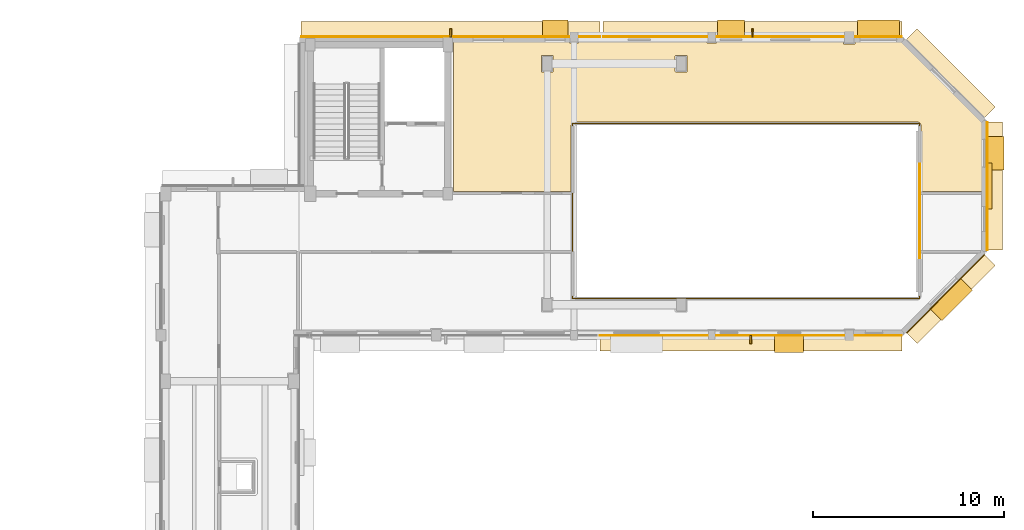
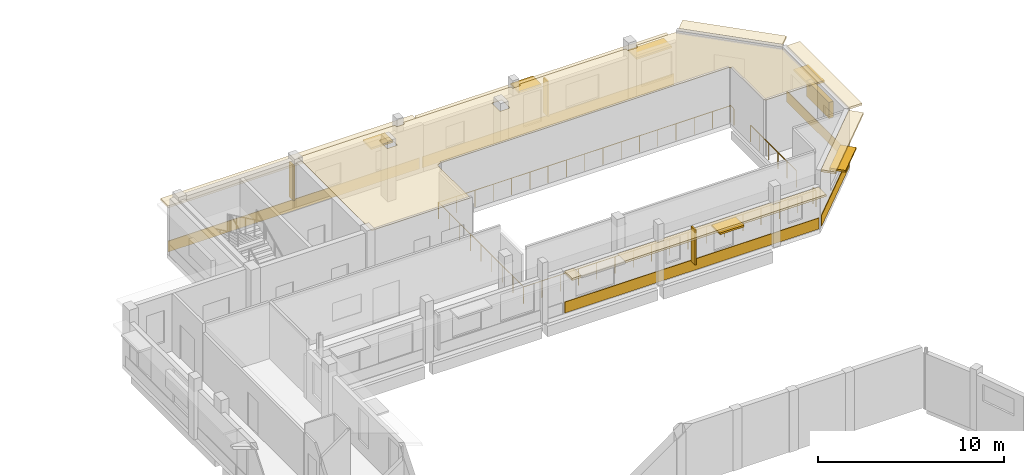
# One storey, part 88 of 89: 12 coverings, 10 shading devices, 2 railings.
"""IFC4 building model written with IfcOpenShell, lengths in metres."""

from ifc_helpers import new_model, si_unit, direction, frame, origin, origin_2d, place, context, subcontext, project, spatial, polyline, rectangle, circle, outline, extrude, material, layer, layer_set, type_object, element, save


model = new_model("IFC4")

# Units and contexts
model_context = context("Model", 3, precision=1e-05, world=origin(), true_north=direction((0.0, 1.0)))
body_context = subcontext(model_context, "Body", "Model", "MODEL_VIEW")
ifc_project = project(units=[si_unit("LENGTHUNIT", "METRE"), si_unit("AREAUNIT", "SQUARE_METRE"), si_unit("VOLUMEUNIT", "CUBIC_METRE"), si_unit("PLANEANGLEUNIT", "RADIAN"), si_unit("MASSUNIT", "GRAM", prefix="KILO")], contexts=[model_context])

# Site, building, storey
site_placement = place(None, origin())
site = spatial("IfcSite", under=ifc_project, at=site_placement, CompositionType="ELEMENT")
building_placement = place(site_placement, origin())
building = spatial("IfcBuilding", under=site, at=building_placement, Name="Kelanivale Promenade Academy", CompositionType="ELEMENT")
storey_placement = place(building_placement, frame((0.0, 0.0, 12.199951171875)))
storey = spatial("IfcBuildingStorey", under=building, at=storey_placement, Name="L03", CompositionType="ELEMENT", Elevation=12.199951171875)

# Coverings
ifc_material_1 = material(Name="Warm ivory Art Deco stucco frieze band 40 mm", Category="masonry")
ifc_layer_1 = layer(ifc_material_1, 0.0400390625)
ifc_layer_set_1 = layer_set([ifc_layer_1], Name="Warm ivory Art Deco stucco frieze band 40 mm")
covering_type_1 = type_object("IfcCoveringType", Name="COV-CLD2 Warm ivory Art Deco stucco frieze ba", PredefinedType="CLADDING", material=ifc_layer_set_1)
covering_1_placement = place(storey_placement, frame((146.4541015625, 96.0, 2.6552734375), z_axis=(0.0, 0.0, 1.0), x_axis=(1.0, 0.0, 0.0)))
element("IfcCovering", 1, at=covering_1_placement, inside=storey, type_object=covering_type_1, Name="Art Deco projecting 820 mm streamline sunshade eyebrow ledge", PredefinedType="CLADDING", context=body_context, shape_type="SweptSolid", body=[
    extrude(rectangle(XDim=15.794921875, YDim=0.820068359375, at=origin_2d()), origin(), (0.0, 0.0, 1.0), 0.139892578125),
])
covering_2_placement = place(storey_placement, frame((146.4541015625, 96.385009765625, 0.06005859375), z_axis=(0.0, 0.0, 1.0), x_axis=(1.0, 0.0, 0.0)))
element("IfcCovering", 2, at=covering_2_placement, inside=storey, type_object=covering_type_1, Name="Art Deco ivory stucco sill frieze band", PredefinedType="CLADDING", context=body_context, shape_type="SweptSolid", body=[
    extrude(rectangle(XDim=15.794921875, YDim=0.0400390625, at=origin_2d()), origin(), (0.0, 0.0, 1.0), 0.719970703125),
])
covering_3_placement = place(storey_placement, frame((156.89892578125, 98.301025390625, 3.6201171875), z_axis=(0.0, 0.0, 1.0), x_axis=(0.707106781187, 0.707106781187, 0.0)))
element("IfcCovering", 3, at=covering_3_placement, inside=storey, type_object=covering_type_1, Name="Art Deco projecting 820 mm streamline sunshade eyebrow ledge", PredefinedType="CLADDING", context=body_context, shape_type="SweptSolid", body=[
    extrude(rectangle(XDim=5.77490234375, YDim=0.820068359375, at=origin_2d()), origin(), (0.0, 0.0, 1.0), 0.139892578125),
])
covering_4_placement = place(storey_placement, frame((156.626953125, 98.572998046875, 0.06005859375), z_axis=(0.0, 0.0, 1.0), x_axis=(0.707106781187, 0.707106781187, 0.0)))
element("IfcCovering", 4, at=covering_4_placement, inside=storey, type_object=covering_type_1, Name="Art Deco ivory stucco sill frieze band", PredefinedType="CLADDING", context=body_context, shape_type="SweptSolid", body=[
    extrude(rectangle(XDim=5.77490234375, YDim=0.0400390625, at=origin_2d()), origin(), (0.0, 0.0, 1.0), 0.719970703125),
])
covering_5_placement = place(storey_placement, frame((159.199951171875, 104.199951171875, 3.6201171875), z_axis=(0.0, 0.0, 1.0), x_axis=(0.0, 1.0, 0.0)))
element("IfcCovering", 5, at=covering_5_placement, inside=storey, type_object=covering_type_1, Name="Art Deco projecting 820 mm streamline sunshade eyebrow ledge", PredefinedType="CLADDING", context=body_context, shape_type="SweptSolid", body=[
    extrude(rectangle(XDim=6.701904296875, YDim=0.820068359375, at=origin_2d()), origin(), (0.0, 0.0, 1.0), 0.139892578125),
])
covering_6_placement = place(storey_placement, frame((158.81494140625, 104.199951171875, 0.06005859375), z_axis=(0.0, 0.0, 1.0), x_axis=(0.0, 1.0, 0.0)))
element("IfcCovering", 6, at=covering_6_placement, inside=storey, type_object=covering_type_1, Name="Art Deco ivory stucco sill frieze band", PredefinedType="CLADDING", context=body_context, shape_type="SweptSolid", body=[
    extrude(rectangle(XDim=6.701904296875, YDim=0.0400390625, at=origin_2d()), origin(), (0.0, 0.0, 1.0), 0.719970703125),
])
covering_7_placement = place(storey_placement, frame((156.89892578125, 110.09912109375, 3.6201171875), z_axis=(0.0, 0.0, 1.0), x_axis=(-0.707106781187, 0.707106781187, 0.0)))
element("IfcCovering", 7, at=covering_7_placement, inside=storey, type_object=covering_type_1, Name="Art Deco projecting 820 mm streamline sunshade eyebrow ledge", PredefinedType="CLADDING", context=body_context, shape_type="SweptSolid", body=[
    extrude(rectangle(XDim=5.77490234375, YDim=0.820068359375, at=origin_2d()), origin(), (0.0, 0.0, 1.0), 0.139892578125),
])
covering_8_placement = place(storey_placement, frame((146.535888671875, 112.39990234375, 2.85009765625), z_axis=(0.0, 0.0, 1.0), x_axis=(-1.0, 0.0, 0.0)))
element("IfcCovering", 8, at=covering_8_placement, inside=storey, type_object=covering_type_1, Name="Art Deco projecting 820 mm streamline sunshade eyebrow ledge", PredefinedType="CLADDING", context=body_context, shape_type="SweptSolid", body=[
    extrude(rectangle(XDim=15.6298828125, YDim=0.820068359375, at=origin_2d()), origin(), (0.0, 0.0, 1.0), 0.139892578125),
])
covering_9_placement = place(storey_placement, frame((146.535888671875, 112.014892578125, 0.06005859375), z_axis=(0.0, 0.0, 1.0), x_axis=(-1.0, 0.0, 0.0)))
element("IfcCovering", 9, at=covering_9_placement, inside=storey, type_object=covering_type_1, Name="Art Deco ivory stucco sill frieze band", PredefinedType="CLADDING", context=body_context, shape_type="SweptSolid", body=[
    extrude(rectangle(XDim=15.6298828125, YDim=0.0400390625, at=origin_2d()), origin(), (0.0, 0.0, 1.0), 0.719970703125),
])
covering_10_placement = place(storey_placement, frame((130.7451171875, 112.39990234375, 2.955078125), z_axis=(0.0, 0.0, 1.0), x_axis=(-1.0, 0.0, 0.0)))
element("IfcCovering", 10, at=covering_10_placement, inside=storey, type_object=covering_type_1, Name="Art Deco projecting 820 mm streamline sunshade eyebrow ledge", PredefinedType="CLADDING", context=body_context, shape_type="SweptSolid", body=[
    extrude(rectangle(XDim=15.631103515625, YDim=0.820068359375, at=origin_2d()), origin(), (0.0, 0.0, 1.0), 0.139892578125),
])
covering_11_placement = place(storey_placement, frame((130.7451171875, 112.014892578125, 0.06005859375), z_axis=(0.0, 0.0, 1.0), x_axis=(-1.0, 0.0, 0.0)))
element("IfcCovering", 11, at=covering_11_placement, inside=storey, type_object=covering_type_1, Name="Art Deco ivory stucco sill frieze band", PredefinedType="CLADDING", context=body_context, shape_type="SweptSolid", body=[
    extrude(rectangle(XDim=15.631103515625, YDim=0.0400390625, at=origin_2d()), origin(), (0.0, 0.0, 1.0), 0.719970703125),
])
ifc_material_2 = material(Name="Acoustic mineral-fibre ceiling tile 25 mm", Category="gypsum")
ifc_layer_2 = layer(ifc_material_2, 0.02490234375)
ifc_layer_set_2 = layer_set([ifc_layer_2], Name="Acoustic mineral-fibre ceiling tile 25 mm")
covering_type_2 = type_object("IfcCoveringType", Name="COV-CLG1 Acoustic mineral-fibre ceiling tile ", PredefinedType="CEILING", material=ifc_layer_set_2)
covering_12_placement = place(storey_placement, frame((0.0, 0.0, 3.550048828125)))
element("IfcCovering", 12, at=covering_12_placement, inside=storey, type_object=covering_type_2, Name="Library Mezzanine Study Room acoustic suspended ceiling", PredefinedType="CEILING", context=body_context, shape_type="SweptSolid", body=[
    extrude(outline(polyline([(137.050048828125, 103.909912109375), (137.050048828125, 107.35009765625), (137.050048828125, 107.35693359375), (137.051025390625, 107.368896484375), (137.051025390625, 107.368896484375), (137.052001953125, 107.3798828125), (137.052978515625, 107.385986328125), (137.053955078125, 107.39208984375), (137.056884765625, 107.404052734375), (137.06005859375, 107.412109375), (137.06396484375, 107.423095703125), (137.06591796875, 107.428955078125), (137.071044921875, 107.43994140625), (137.074951171875, 107.447998046875), (137.0810546875, 107.4580078125), (137.0869140625, 107.466064453125), (137.093994140625, 107.47509765625), (137.096923828125, 107.47900390625), (137.10498046875, 107.488037109375), (137.112060546875, 107.4951171875), (137.12109375, 107.5029296875), (137.125, 107.506103515625), (137.134033203125, 107.512939453125), (137.14208984375, 107.51904296875), (137.152099609375, 107.52490234375), (137.159912109375, 107.529052734375), (137.1708984375, 107.533935546875), (137.177001953125, 107.535888671875), (137.18798828125, 107.5400390625), (137.196044921875, 107.54296875), (137.2080078125, 107.5458984375), (137.214111328125, 107.547119140625), (137.219970703125, 107.548095703125), (137.23095703125, 107.549072265625), (137.23095703125, 107.549072265625), (137.242919921875, 107.550048828125), (137.25, 107.550048828125), (155.14990234375, 107.550048828125), (155.156982421875, 107.550048828125), (155.1689453125, 107.549072265625), (155.1689453125, 107.549072265625), (155.179931640625, 107.548095703125), (155.18603515625, 107.547119140625), (155.19189453125, 107.5458984375), (155.2041015625, 107.54296875), (155.2119140625, 107.5400390625), (155.222900390625, 107.535888671875), (155.22900390625, 107.533935546875), (155.239990234375, 107.529052734375), (155.248046875, 107.52490234375), (155.258056640625, 107.51904296875), (155.26611328125, 107.512939453125), (155.27490234375, 107.506103515625), (155.279052734375, 107.5029296875), (155.2880859375, 107.4951171875), (155.294921875, 107.488037109375), (155.302978515625, 107.47900390625), (155.305908203125, 107.47509765625), (155.31298828125, 107.466064453125), (155.319091796875, 107.4580078125), (155.324951171875, 107.447998046875), (155.3291015625, 107.43994140625), (155.333984375, 107.428955078125), (155.3359375, 107.423095703125), (155.340087890625, 107.412109375), (155.343017578125, 107.404052734375), (155.345947265625, 107.39208984375), (155.346923828125, 107.385986328125), (155.347900390625, 107.3798828125), (155.34912109375, 107.368896484375), (155.34912109375, 107.368896484375), (155.35009765625, 107.35693359375), (155.35009765625, 107.35009765625), (155.35009765625, 103.909912109375), (158.64990234375, 103.909912109375), (158.64990234375, 107.571044921875), (154.37109375, 111.85009765625), (151.909912109375, 111.85009765625), (151.909912109375, 111.679931640625), (151.909912109375, 111.676025390625), (151.908935546875, 111.672119140625), (151.907958984375, 111.66796875), (151.906982421875, 111.6650390625), (151.905029296875, 111.660888671875), (151.903076171875, 111.657958984375), (151.90087890625, 111.655029296875), (151.89794921875, 111.652099609375), (151.89501953125, 111.64892578125), (151.89208984375, 111.64697265625), (151.888916015625, 111.64501953125), (151.885009765625, 111.64306640625), (151.882080078125, 111.64208984375), (151.8779296875, 111.64111328125), (151.8740234375, 111.639892578125), (151.8701171875, 111.639892578125), (151.330078125, 111.639892578125), (151.325927734375, 111.639892578125), (151.322021484375, 111.64111328125), (151.318115234375, 111.64208984375), (151.31494140625, 111.64306640625), (151.31103515625, 111.64501953125), (151.30810546875, 111.64697265625), (151.304931640625, 111.64892578125), (151.302001953125, 111.652099609375), (151.299072265625, 111.655029296875), (151.297119140625, 111.657958984375), (151.294921875, 111.660888671875), (151.29296875, 111.6650390625), (151.2919921875, 111.66796875), (151.291015625, 111.672119140625), (151.2900390625, 111.676025390625), (151.2900390625, 111.679931640625), (151.2900390625, 111.85009765625), (144.659912109375, 111.85009765625), (144.659912109375, 111.72998046875), (144.659912109375, 111.72607421875), (144.658935546875, 111.721923828125), (144.657958984375, 111.718017578125), (144.656982421875, 111.715087890625), (144.655029296875, 111.7109375), (144.653076171875, 111.7080078125), (144.65087890625, 111.705078125), (144.64794921875, 111.701904296875), (144.64501953125, 111.698974609375), (144.64208984375, 111.697021484375), (144.638916015625, 111.695068359375), (144.635009765625, 111.693115234375), (144.632080078125, 111.69189453125), (144.6279296875, 111.69091796875), (144.6240234375, 111.68994140625), (144.6201171875, 111.68994140625), (144.179931640625, 111.68994140625), (144.176025390625, 111.68994140625), (144.172119140625, 111.69091796875), (144.16796875, 111.69189453125), (144.1650390625, 111.693115234375), (144.160888671875, 111.695068359375), (144.157958984375, 111.697021484375), (144.155029296875, 111.698974609375), (144.152099609375, 111.701904296875), (144.14892578125, 111.705078125), (144.14697265625, 111.7080078125), (144.14501953125, 111.7109375), (144.14306640625, 111.715087890625), (144.14208984375, 111.718017578125), (144.14111328125, 111.721923828125), (144.139892578125, 111.72607421875), (144.139892578125, 111.72998046875), (144.139892578125, 111.85009765625), (137.4599609375, 111.85009765625), (137.4599609375, 111.72998046875), (137.4599609375, 111.72607421875), (137.458984375, 111.721923828125), (137.4580078125, 111.718017578125), (137.45703125, 111.715087890625), (137.455078125, 111.7109375), (137.452880859375, 111.7080078125), (137.450927734375, 111.705078125), (137.447998046875, 111.701904296875), (137.445068359375, 111.698974609375), (137.44189453125, 111.697021484375), (137.43896484375, 111.695068359375), (137.43505859375, 111.693115234375), (137.431884765625, 111.69189453125), (137.427978515625, 111.69091796875), (137.424072265625, 111.68994140625), (137.419921875, 111.68994140625), (136.97998046875, 111.68994140625), (136.97607421875, 111.68994140625), (136.971923828125, 111.69091796875), (136.968017578125, 111.69189453125), (136.965087890625, 111.693115234375), (136.9609375, 111.695068359375), (136.9580078125, 111.697021484375), (136.955078125, 111.698974609375), (136.951904296875, 111.701904296875), (136.948974609375, 111.705078125), (136.947021484375, 111.7080078125), (136.945068359375, 111.7109375), (136.943115234375, 111.715087890625), (136.94189453125, 111.718017578125), (136.94091796875, 111.721923828125), (136.93994140625, 111.72607421875), (136.93994140625, 111.72998046875), (136.93994140625, 111.85009765625), (130.909912109375, 111.85009765625), (130.909912109375, 103.909912109375), (137.050048828125, 103.909912109375)]), holes=[polyline([(143.110107421875, 110.205078125), (143.110107421875, 110.200927734375), (143.10888671875, 110.197021484375), (143.10791015625, 110.193115234375), (143.10693359375, 110.18994140625), (143.10498046875, 110.18603515625), (143.10302734375, 110.18310546875), (143.10107421875, 110.179931640625), (143.097900390625, 110.177001953125), (143.094970703125, 110.174072265625), (143.092041015625, 110.172119140625), (143.089111328125, 110.169921875), (143.0849609375, 110.16796875), (143.08203125, 110.1669921875), (143.077880859375, 110.166015625), (143.073974609375, 110.1650390625), (143.070068359375, 110.1650390625), (142.530029296875, 110.1650390625), (142.52587890625, 110.1650390625), (142.52197265625, 110.166015625), (142.51806640625, 110.1669921875), (142.514892578125, 110.16796875), (142.510986328125, 110.169921875), (142.508056640625, 110.172119140625), (142.5048828125, 110.174072265625), (142.501953125, 110.177001953125), (142.4990234375, 110.179931640625), (142.4970703125, 110.18310546875), (142.4951171875, 110.18603515625), (142.492919921875, 110.18994140625), (142.491943359375, 110.193115234375), (142.490966796875, 110.197021484375), (142.489990234375, 110.200927734375), (142.489990234375, 110.205078125), (142.489990234375, 110.9951171875), (142.489990234375, 110.9990234375), (142.490966796875, 111.0029296875), (142.491943359375, 111.007080078125), (142.492919921875, 111.010009765625), (142.4951171875, 111.013916015625), (142.4970703125, 111.01708984375), (142.4990234375, 111.02001953125), (142.501953125, 111.02294921875), (142.5048828125, 111.02587890625), (142.508056640625, 111.028076171875), (142.510986328125, 111.030029296875), (142.514892578125, 111.031982421875), (142.51806640625, 111.032958984375), (142.52197265625, 111.033935546875), (142.52587890625, 111.034912109375), (142.530029296875, 111.034912109375), (143.070068359375, 111.034912109375), (143.073974609375, 111.034912109375), (143.077880859375, 111.033935546875), (143.08203125, 111.032958984375), (143.0849609375, 111.031982421875), (143.089111328125, 111.030029296875), (143.092041015625, 111.028076171875), (143.094970703125, 111.02587890625), (143.097900390625, 111.02294921875), (143.10107421875, 111.02001953125), (143.10302734375, 111.01708984375), (143.10498046875, 111.013916015625), (143.10693359375, 111.010009765625), (143.10791015625, 111.007080078125), (143.10888671875, 111.0029296875), (143.110107421875, 110.9990234375), (143.110107421875, 110.9951171875), (143.110107421875, 110.205078125)]), polyline([(136.110107421875, 110.205078125), (136.110107421875, 110.200927734375), (136.10888671875, 110.197021484375), (136.10791015625, 110.193115234375), (136.10693359375, 110.18994140625), (136.10498046875, 110.18603515625), (136.10302734375, 110.18310546875), (136.10107421875, 110.179931640625), (136.097900390625, 110.177001953125), (136.094970703125, 110.174072265625), (136.092041015625, 110.172119140625), (136.089111328125, 110.169921875), (136.0849609375, 110.16796875), (136.08203125, 110.1669921875), (136.077880859375, 110.166015625), (136.073974609375, 110.1650390625), (136.070068359375, 110.1650390625), (135.530029296875, 110.1650390625), (135.52587890625, 110.1650390625), (135.52197265625, 110.166015625), (135.51806640625, 110.1669921875), (135.514892578125, 110.16796875), (135.510986328125, 110.169921875), (135.508056640625, 110.172119140625), (135.5048828125, 110.174072265625), (135.501953125, 110.177001953125), (135.4990234375, 110.179931640625), (135.4970703125, 110.18310546875), (135.4951171875, 110.18603515625), (135.492919921875, 110.18994140625), (135.491943359375, 110.193115234375), (135.490966796875, 110.197021484375), (135.489990234375, 110.200927734375), (135.489990234375, 110.205078125), (135.489990234375, 110.9951171875), (135.489990234375, 110.9990234375), (135.490966796875, 111.0029296875), (135.491943359375, 111.007080078125), (135.492919921875, 111.010009765625), (135.4951171875, 111.013916015625), (135.4970703125, 111.01708984375), (135.4990234375, 111.02001953125), (135.501953125, 111.02294921875), (135.5048828125, 111.02587890625), (135.508056640625, 111.028076171875), (135.510986328125, 111.030029296875), (135.514892578125, 111.031982421875), (135.51806640625, 111.032958984375), (135.52197265625, 111.033935546875), (135.52587890625, 111.034912109375), (135.530029296875, 111.034912109375), (136.070068359375, 111.034912109375), (136.073974609375, 111.034912109375), (136.077880859375, 111.033935546875), (136.08203125, 111.032958984375), (136.0849609375, 111.031982421875), (136.089111328125, 111.030029296875), (136.092041015625, 111.028076171875), (136.094970703125, 111.02587890625), (136.097900390625, 111.02294921875), (136.10107421875, 111.02001953125), (136.10302734375, 111.01708984375), (136.10498046875, 111.013916015625), (136.10693359375, 111.010009765625), (136.10791015625, 111.007080078125), (136.10888671875, 111.0029296875), (136.110107421875, 110.9990234375), (136.110107421875, 110.9951171875), (136.110107421875, 110.205078125)])]), origin(), (0.0, 0.0, 1.0), 0.02490234375),
])

# Railings
ifc_material_3 = material(Name="Brushed stainless steel grade 316", Category="steel")
railing_type = type_object("IfcRailingType", Name="GR-01 Stair Guard 1100mm", PredefinedType="BALUSTRADE", material=ifc_material_3)
railing_1_placement = place(storey_placement, frame((155.280029296875, 98.64990234375, 0.0)))
element("IfcRailing", 13, at=railing_1_placement, inside=storey, type_object=railing_type, Name="Library Reading Void mezzanine balustrade 1", PredefinedType="BALUSTRADE", context=body_context, shape_type="SweptSolid", body=[
    extrude(circle(Radius=0.02392578125, at=origin_2d()), frame((0.0, 0.0, 1.09619140625), z_axis=(0.0, -1.0, 0.0), x_axis=(1.0, 0.0, 0.0)), (0.0, 0.0, 1.0), 0.329833984375),
    extrude(circle(Radius=0.02392578125, at=origin_2d()), frame((0.0, -0.329833984375, 1.09619140625), z_axis=(-1.0, 0.0, 0.0), x_axis=(0.0, -1.0, 0.0)), (0.0, 0.0, 1.0), 18.159912109375),
    extrude(circle(Radius=0.02392578125, at=origin_2d()), frame((-18.159912109375, -0.329833984375, 1.09619140625), z_axis=(0.0, 1.0, 0.0), x_axis=(-1.0, 0.0, 0.0)), (0.0, 0.0, 1.0), 9.159912109375),
    extrude(circle(Radius=0.02392578125, at=origin_2d()), frame((-18.159912109375, 8.830078125, 1.09619140625), z_axis=(1.0, 0.0, 0.0), x_axis=(0.0, 1.0, 0.0)), (0.0, 0.0, 1.0), 18.159912109375),
    extrude(circle(Radius=0.02392578125, at=origin_2d()), frame((0.0, 8.830078125, 1.09619140625), z_axis=(0.0, -1.0, 0.0), x_axis=(1.0, 0.0, 0.0)), (0.0, 0.0, 1.0), 0.330078125),
    extrude(circle(Radius=0.02099609375, at=origin_2d()), origin(), (0.0, 0.0, 1.0), 1.072021484375),
    extrude(circle(Radius=0.02099609375, at=origin_2d()), frame((0.0, -0.329833984375, 0.0)), (0.0, 0.0, 1.0), 1.072021484375),
    extrude(circle(Radius=0.02099609375, at=origin_2d()), frame((-1.135009765625, -0.329833984375, 0.0)), (0.0, 0.0, 1.0), 1.072021484375),
    extrude(circle(Radius=0.02099609375, at=origin_2d()), frame((-2.27001953125, -0.329833984375, 0.0)), (0.0, 0.0, 1.0), 1.072021484375),
    extrude(circle(Radius=0.02099609375, at=origin_2d()), frame((-3.405029296875, -0.329833984375, 0.0)), (0.0, 0.0, 1.0), 1.072021484375),
    extrude(circle(Radius=0.02099609375, at=origin_2d()), frame((-4.5400390625, -0.329833984375, 0.0)), (0.0, 0.0, 1.0), 1.072021484375),
    extrude(circle(Radius=0.02099609375, at=origin_2d()), frame((-5.675048828125, -0.329833984375, 0.0)), (0.0, 0.0, 1.0), 1.072021484375),
    extrude(circle(Radius=0.02099609375, at=origin_2d()), frame((-6.81005859375, -0.329833984375, 0.0)), (0.0, 0.0, 1.0), 1.072021484375),
    extrude(circle(Radius=0.02099609375, at=origin_2d()), frame((-7.945068359375, -0.329833984375, 0.0)), (0.0, 0.0, 1.0), 1.072021484375),
    extrude(circle(Radius=0.02099609375, at=origin_2d()), frame((-9.080078125, -0.329833984375, 0.0)), (0.0, 0.0, 1.0), 1.072021484375),
    extrude(circle(Radius=0.02099609375, at=origin_2d()), frame((-10.21484375, -0.329833984375, 0.0)), (0.0, 0.0, 1.0), 1.072021484375),
    extrude(circle(Radius=0.02099609375, at=origin_2d()), frame((-11.349853515625, -0.329833984375, 0.0)), (0.0, 0.0, 1.0), 1.072021484375),
    extrude(circle(Radius=0.02099609375, at=origin_2d()), frame((-12.48486328125, -0.329833984375, 0.0)), (0.0, 0.0, 1.0), 1.072021484375),
    extrude(circle(Radius=0.02099609375, at=origin_2d()), frame((-13.619873046875, -0.329833984375, 0.0)), (0.0, 0.0, 1.0), 1.072021484375),
    extrude(circle(Radius=0.02099609375, at=origin_2d()), frame((-14.7548828125, -0.329833984375, 0.0)), (0.0, 0.0, 1.0), 1.072021484375),
    extrude(circle(Radius=0.02099609375, at=origin_2d()), frame((-15.889892578125, -0.329833984375, 0.0)), (0.0, 0.0, 1.0), 1.072021484375),
    extrude(circle(Radius=0.02099609375, at=origin_2d()), frame((-17.02490234375, -0.329833984375, 0.0)), (0.0, 0.0, 1.0), 1.072021484375),
    extrude(circle(Radius=0.02099609375, at=origin_2d()), frame((-18.159912109375, -0.329833984375, 0.0)), (0.0, 0.0, 1.0), 1.072021484375),
    extrude(circle(Radius=0.02099609375, at=origin_2d()), frame((-18.159912109375, 0.815185546875, 0.0)), (0.0, 0.0, 1.0), 1.072021484375),
    extrude(circle(Radius=0.02099609375, at=origin_2d()), frame((-18.159912109375, 1.960205078125, 0.0)), (0.0, 0.0, 1.0), 1.072021484375),
    extrude(circle(Radius=0.02099609375, at=origin_2d()), frame((-18.159912109375, 3.105224609375, 0.0)), (0.0, 0.0, 1.0), 1.072021484375),
    extrude(circle(Radius=0.02099609375, at=origin_2d()), frame((-18.159912109375, 4.25, 0.0)), (0.0, 0.0, 1.0), 1.072021484375),
    extrude(circle(Radius=0.02099609375, at=origin_2d()), frame((-18.159912109375, 5.39501953125, 0.0)), (0.0, 0.0, 1.0), 1.072021484375),
    extrude(circle(Radius=0.02099609375, at=origin_2d()), frame((-18.159912109375, 6.5400390625, 0.0)), (0.0, 0.0, 1.0), 1.072021484375),
    extrude(circle(Radius=0.02099609375, at=origin_2d()), frame((-18.159912109375, 7.68505859375, 0.0)), (0.0, 0.0, 1.0), 1.072021484375),
    extrude(circle(Radius=0.02099609375, at=origin_2d()), frame((-18.159912109375, 8.830078125, 0.0)), (0.0, 0.0, 1.0), 1.072021484375),
    extrude(circle(Radius=0.02099609375, at=origin_2d()), frame((-17.02490234375, 8.830078125, 0.0)), (0.0, 0.0, 1.0), 1.072021484375),
    extrude(circle(Radius=0.02099609375, at=origin_2d()), frame((-15.889892578125, 8.830078125, 0.0)), (0.0, 0.0, 1.0), 1.072021484375),
    extrude(circle(Radius=0.02099609375, at=origin_2d()), frame((-14.7548828125, 8.830078125, 0.0)), (0.0, 0.0, 1.0), 1.072021484375),
    extrude(circle(Radius=0.02099609375, at=origin_2d()), frame((-13.619873046875, 8.830078125, 0.0)), (0.0, 0.0, 1.0), 1.072021484375),
    extrude(circle(Radius=0.02099609375, at=origin_2d()), frame((-12.48486328125, 8.830078125, 0.0)), (0.0, 0.0, 1.0), 1.072021484375),
    extrude(circle(Radius=0.02099609375, at=origin_2d()), frame((-11.349853515625, 8.830078125, 0.0)), (0.0, 0.0, 1.0), 1.072021484375),
    extrude(circle(Radius=0.02099609375, at=origin_2d()), frame((-10.21484375, 8.830078125, 0.0)), (0.0, 0.0, 1.0), 1.072021484375),
    extrude(circle(Radius=0.02099609375, at=origin_2d()), frame((-9.080078125, 8.830078125, 0.0)), (0.0, 0.0, 1.0), 1.072021484375),
    extrude(circle(Radius=0.02099609375, at=origin_2d()), frame((-7.945068359375, 8.830078125, 0.0)), (0.0, 0.0, 1.0), 1.072021484375),
    extrude(circle(Radius=0.02099609375, at=origin_2d()), frame((-6.81005859375, 8.830078125, 0.0)), (0.0, 0.0, 1.0), 1.072021484375),
    extrude(circle(Radius=0.02099609375, at=origin_2d()), frame((-5.675048828125, 8.830078125, 0.0)), (0.0, 0.0, 1.0), 1.072021484375),
    extrude(circle(Radius=0.02099609375, at=origin_2d()), frame((-4.5400390625, 8.830078125, 0.0)), (0.0, 0.0, 1.0), 1.072021484375),
    extrude(circle(Radius=0.02099609375, at=origin_2d()), frame((-3.405029296875, 8.830078125, 0.0)), (0.0, 0.0, 1.0), 1.072021484375),
    extrude(circle(Radius=0.02099609375, at=origin_2d()), frame((-2.27001953125, 8.830078125, 0.0)), (0.0, 0.0, 1.0), 1.072021484375),
    extrude(circle(Radius=0.02099609375, at=origin_2d()), frame((-1.135009765625, 8.830078125, 0.0)), (0.0, 0.0, 1.0), 1.072021484375),
    extrude(circle(Radius=0.02099609375, at=origin_2d()), frame((0.0, 8.830078125, 0.0)), (0.0, 0.0, 1.0), 1.072021484375),
    extrude(circle(Radius=0.02099609375, at=origin_2d()), frame((0.0, 8.5, 0.0)), (0.0, 0.0, 1.0), 1.072021484375),
])
railing_2_placement = place(storey_placement, frame((155.280029296875, 100.449951171875, 0.0)))
element("IfcRailing", 14, at=railing_2_placement, inside=storey, type_object=railing_type, Name="Library Reading Void mezzanine balustrade 2", PredefinedType="BALUSTRADE", context=body_context, shape_type="SweptSolid", body=[
    extrude(circle(Radius=0.02392578125, at=origin_2d()), frame((0.0, 0.0, 1.09619140625), z_axis=(0.0, 1.0, 0.0), x_axis=(-1.0, 0.0, 0.0)), (0.0, 0.0, 1.0), 4.900146484375),
    extrude(circle(Radius=0.02099609375, at=origin_2d()), origin(), (0.0, 0.0, 1.0), 1.072021484375),
    extrude(circle(Radius=0.02099609375, at=origin_2d()), frame((0.0, 0.97998046875, 0.0)), (0.0, 0.0, 1.0), 1.072021484375),
    extrude(circle(Radius=0.02099609375, at=origin_2d()), frame((0.0, 1.9599609375, 0.0)), (0.0, 0.0, 1.0), 1.072021484375),
    extrude(circle(Radius=0.02099609375, at=origin_2d()), frame((0.0, 2.940185546875, 0.0)), (0.0, 0.0, 1.0), 1.072021484375),
    extrude(circle(Radius=0.02099609375, at=origin_2d()), frame((0.0, 3.920166015625, 0.0)), (0.0, 0.0, 1.0), 1.072021484375),
    extrude(circle(Radius=0.02099609375, at=origin_2d()), frame((0.0, 4.900146484375, 0.0)), (0.0, 0.0, 1.0), 1.072021484375),
])

# Shading devices
ifc_material_4 = material(Name="Precast concrete C40/50", Category="concrete")
ifc_layer_3 = layer(ifc_material_4, 0.1201171875)
ifc_layer_set_3 = layer_set([ifc_layer_3], Name="Precast concrete C40/50")
shading_device_type_1 = type_object("IfcShadingDeviceType", Name="SHD-01 Art Deco Sunshade Eyebrow 900mm", PredefinedType="USERDEFINED", material=ifc_layer_set_3)
shading_device_1_placement = place(storey_placement, frame((148.447998046875, 95.9599609375, 2.510009765625), z_axis=(0.0, 0.0, 1.0), x_axis=(1.0, 0.0, 0.0)))
element("IfcShadingDevice", 15, at=shading_device_1_placement, inside=storey, type_object=shading_device_type_1, Name="Art Deco 900 mm precast chajja window sunshade", ObjectType="SUNSHADE", PredefinedType="USERDEFINED", context=body_context, shape_type="SweptSolid", body=[
    extrude(rectangle(XDim=1.5, YDim=0.89990234375, at=origin_2d()), origin(), (0.0, 0.0, 1.0), 0.1201171875),
])
shading_device_2_placement = place(storey_placement, frame((156.927978515625, 98.27294921875, 2.56005859375), z_axis=(0.0, 0.0, 1.0), x_axis=(0.707106781187, 0.707106781187, 0.0)))
element("IfcShadingDevice", 16, at=shading_device_2_placement, inside=storey, type_object=shading_device_type_1, Name="Art Deco 900 mm precast chajja window sunshade", ObjectType="SUNSHADE", PredefinedType="USERDEFINED", context=body_context, shape_type="SweptSolid", body=[
    extrude(rectangle(XDim=2.25, YDim=0.89990234375, at=origin_2d()), origin(), (0.0, 0.0, 1.0), 0.1201171875),
])
shading_device_3_placement = place(storey_placement, frame((159.239990234375, 105.9150390625, 2.56005859375), z_axis=(0.0, 0.0, 1.0), x_axis=(0.0, 1.0, 0.0)))
element("IfcShadingDevice", 17, at=shading_device_3_placement, inside=storey, type_object=shading_device_type_1, Name="Art Deco 900 mm precast chajja window sunshade", ObjectType="SUNSHADE", PredefinedType="USERDEFINED", context=body_context, shape_type="SweptSolid", body=[
    extrude(rectangle(XDim=1.75, YDim=0.89990234375, at=origin_2d()), origin(), (0.0, 0.0, 1.0), 0.1201171875),
])
shading_device_4_placement = place(storey_placement, frame((153.12109375, 112.43994140625, 2.510009765625), z_axis=(0.0, 0.0, 1.0), x_axis=(-1.0, 0.0, 0.0)))
element("IfcShadingDevice", 18, at=shading_device_4_placement, inside=storey, type_object=shading_device_type_1, Name="Art Deco 900 mm precast chajja window sunshade", ObjectType="SUNSHADE", PredefinedType="USERDEFINED", context=body_context, shape_type="SweptSolid", body=[
    extrude(rectangle(XDim=2.199951171875, YDim=0.89990234375, at=origin_2d()), origin(), (0.0, 0.0, 1.0), 0.1201171875),
])
shading_device_5_placement = place(storey_placement, frame((145.412109375, 112.43994140625, 2.860107421875), z_axis=(0.0, 0.0, 1.0), x_axis=(-1.0, 0.0, 0.0)))
element("IfcShadingDevice", 19, at=shading_device_5_placement, inside=storey, type_object=shading_device_type_1, Name="Art Deco 900 mm precast chajja window sunshade", ObjectType="SUNSHADE", PredefinedType="USERDEFINED", context=body_context, shape_type="SweptSolid", body=[
    extrude(rectangle(XDim=1.39990234375, YDim=0.89990234375, at=origin_2d()), origin(), (0.0, 0.0, 1.0), 0.1201171875),
])
shading_device_6_placement = place(storey_placement, frame((136.217041015625, 112.43994140625, 2.360107421875), z_axis=(0.0, 0.0, 1.0), x_axis=(-1.0, 0.0, 0.0)))
element("IfcShadingDevice", 20, at=shading_device_6_placement, inside=storey, type_object=shading_device_type_1, Name="Art Deco 900 mm precast chajja window sunshade", ObjectType="SUNSHADE", PredefinedType="USERDEFINED", context=body_context, shape_type="SweptSolid", body=[
    extrude(rectangle(XDim=1.35009765625, YDim=0.89990234375, at=origin_2d()), origin(), (0.0, 0.0, 1.0), 0.1201171875),
])
ifc_material_5 = material(Name="Bronze anodised aluminium EN AW-6063 T6", Category="aluminium")
ifc_layer_4 = layer(ifc_material_5, 0.080078125)
ifc_layer_set_4 = layer_set([ifc_layer_4], Name="Bronze anodised aluminium EN AW-6063 T6")
shading_device_type_2 = type_object("IfcShadingDeviceType", Name="SHD-02 Perforated Brise-Soleil Screen", PredefinedType="JALOUSIE", material=ifc_layer_set_4)
shading_device_7_placement = place(storey_placement, frame((158.93505859375, 104.199951171875, 1.72509765625), z_axis=(0.0, 0.0, 1.0), x_axis=(0.0, 1.0, 0.0)))
element("IfcShadingDevice", 21, at=shading_device_7_placement, inside=storey, type_object=shading_device_type_2, Name="Perforated Art Deco brise-soleil louvre screen", PredefinedType="JALOUSIE", context=body_context, shape_type="SweptSolid", body=[
    extrude(rectangle(XDim=2.39990234375, YDim=0.280029296875, at=origin_2d()), origin(), (0.0, 0.0, 1.0), 1.050048828125),
])
ifc_layer_5 = layer(ifc_material_5, 0.10009765625)
ifc_layer_set_5 = layer_set([ifc_layer_5], Name="Bronze anodised aluminium EN AW-6063 T6")
shading_device_type_3 = type_object("IfcShadingDeviceType", Name="SHD-03 Vertical Fluted Solar Fin", PredefinedType="USERDEFINED", material=ifc_layer_set_5)
for number, where, z_axis, x_axis, name in (
    (22, (146.4541015625, 96.179931640625, 0.7001953125), (0.0, 0.0, 1.0), (1.0, 0.0, 0.0), "Vertical fluted Art Deco solar fin"),
    (23, (146.535888671875, 112.219970703125, 0.7001953125), (0.0, 0.0, 1.0), (-1.0, 0.0, 0.0), "Vertical fluted Art Deco solar fin"),
    (24, (130.7451171875, 112.219970703125, 0.7001953125), (0.0, 0.0, 1.0), (-1.0, 0.0, 0.0), "Vertical fluted Art Deco solar fin"),
):
    element("IfcShadingDevice", number, at=place(storey_placement, frame(where, z_axis=z_axis, x_axis=x_axis)), inside=storey, type_object=shading_device_type_3, Name=name, ObjectType="SOLAR FIN", PredefinedType="USERDEFINED", context=body_context, shape_type="SweptSolid", body=[
        extrude(rectangle(XDim=0.10009765625, YDim=0.449951171875, at=origin_2d()), origin(), (0.0, 0.0, 1.0), 2.300048828125),
    ])

save(model, "model.ifc")
